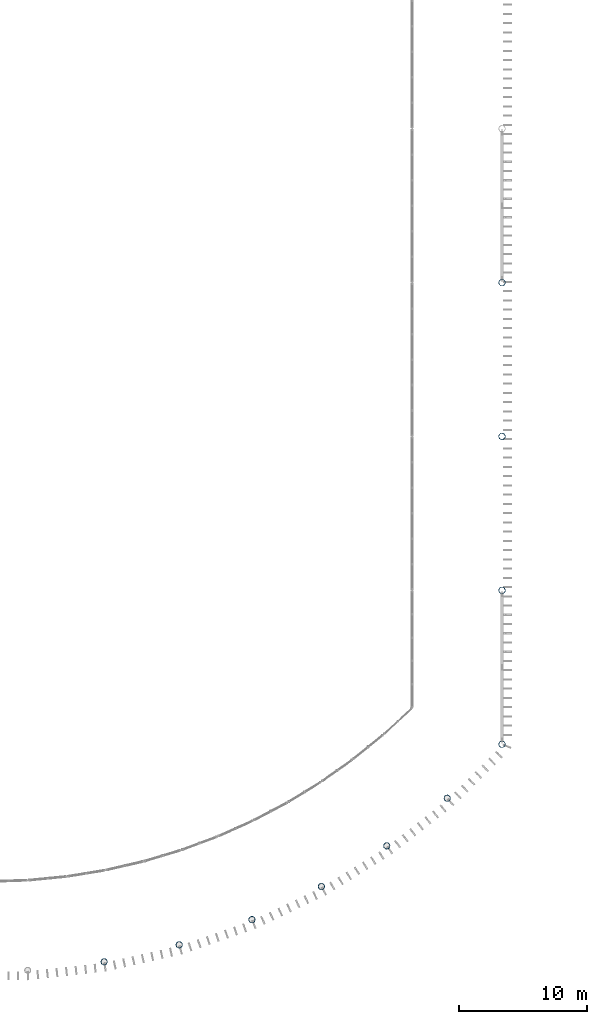
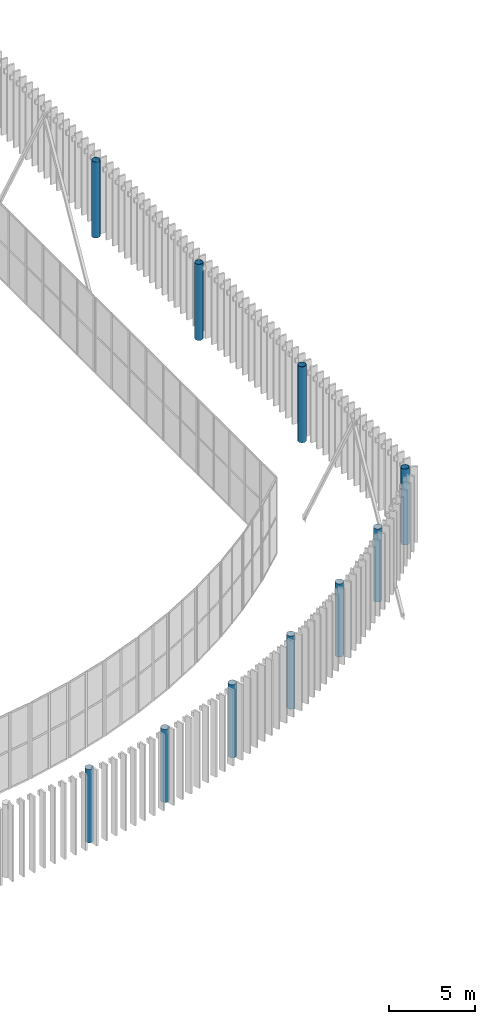
# One storey, part 3 of 170: 10 columns.
"""IFC4 building model written with IfcOpenShell, lengths in metres."""

from ifc_helpers import new_model, si_unit, direction, frame, origin, origin_2d, place, context, subcontext, project, spatial, hollow_circle, extrude, material, material_profile, profile_set, type_object, element, save


model = new_model("IFC4")

# Units and contexts
model_context = context("Model", 3, precision=1e-05, world=origin(), true_north=direction((0.0, 1.0)))
body_context = subcontext(model_context, "Body", "Model", "MODEL_VIEW")
ifc_project = project(units=[si_unit("LENGTHUNIT", "METRE"), si_unit("AREAUNIT", "SQUARE_METRE"), si_unit("VOLUMEUNIT", "CUBIC_METRE"), si_unit("PLANEANGLEUNIT", "RADIAN"), si_unit("MASSUNIT", "GRAM", prefix="KILO")], contexts=[model_context])

# Site, building, storey
site_placement = place(None, origin())
site = spatial("IfcSite", under=ifc_project, at=site_placement, CompositionType="ELEMENT")
building_placement = place(site_placement, origin())
building = spatial("IfcBuilding", under=site, at=building_placement, Name="Ravi Spectrum Wholesale Market", CompositionType="ELEMENT")
storey_placement = place(building_placement, frame((0.0, 0.0, 5.39990234375)))
storey = spatial("IfcBuildingStorey", under=building, at=storey_placement, Name="L01", CompositionType="ELEMENT", Elevation=5.39990234375)

# Columns
ifc_material = material(Name="Steel S355", Category="steel")
ifc_material_profile = material_profile(ifc_material, hollow_circle(Radius=0.25390625, WallThickness=0.01611328125, at=origin_2d()))
ifc_profile_set = profile_set([ifc_material_profile], Name="Steel S355")
column_type = type_object("IfcColumnType", Name="CHS 508x16 column", PredefinedType="COLUMN", material=ifc_profile_set)
for number, where, z_axis, x_axis, name in (
    (1, (110.0, 30.0, 0.0), (0.0, 0.0, 1.0), (1.0, 0.0, 0.0), "H1-COL-L01-016"),
    (2, (110.0, 42.0, 0.0), (0.0, 0.0, 1.0), (1.0, 0.0, 0.0), "H1-COL-L01-017"),
    (3, (110.0, 54.0, 0.0), (0.0, 0.0, 1.0), (1.0, 0.0, 0.0), "H1-COL-L01-018"),
    (4, (110.0, 66.0, 0.0), (0.0, 0.0, 1.0), (1.0, 0.0, 0.0), "H1-COL-L01-019"),
):
    element("IfcColumn", number, at=place(storey_placement, frame(where, z_axis=z_axis, x_axis=x_axis)), inside=storey, type_object=column_type, Name=name, PredefinedType="COLUMN", context=body_context, shape_type="SweptSolid", body=[
        extrude(hollow_circle(Radius=0.25390625, WallThickness=0.01611328125, at=origin_2d()), origin(), (0.0, 0.0, 1.0), 5.400146484375),
    ])
for number, where, z_axis, x_axis, name in (
    (5, (78.96728515625, 13.0263671875, 0.0), (0.0, 0.0, 1.0), (1.0, 0.0, 0.0), "H1-COL-L01-039"),
    (6, (84.822265625, 14.350830078125, 0.0), (0.0, 0.0, 1.0), (1.0, 0.0, 0.0), "H1-COL-L01-040"),
    (7, (90.494140625, 16.31689453125, 0.0), (0.0, 0.0, 1.0), (1.0, 0.0, 0.0), "H1-COL-L01-041"),
    (8, (95.912841796875, 18.900390625, 0.0), (0.0, 0.0, 1.0), (1.0, 0.0, 0.0), "H1-COL-L01-042"),
    (9, (101.01123046875, 22.069091796875, 0.0), (0.0, 0.0, 1.0), (1.0, 0.0, 0.0), "H1-COL-L01-043"),
    (10, (105.726318359375, 25.784423828125, 0.0), (0.0, 0.0, 1.0), (1.0, 0.0, 0.0), "H1-COL-L01-044"),
):
    element("IfcColumn", number, at=place(storey_placement, frame(where, z_axis=z_axis, x_axis=x_axis)), inside=storey, type_object=column_type, Name=name, PredefinedType="COLUMN", context=body_context, shape_type="SweptSolid", body=[
        extrude(hollow_circle(Radius=0.25390625, WallThickness=0.01611328125, at=origin_2d()), origin(), (0.0, 0.0, 1.0), 5.2001953125),
    ])

save(model, "model.ifc")
